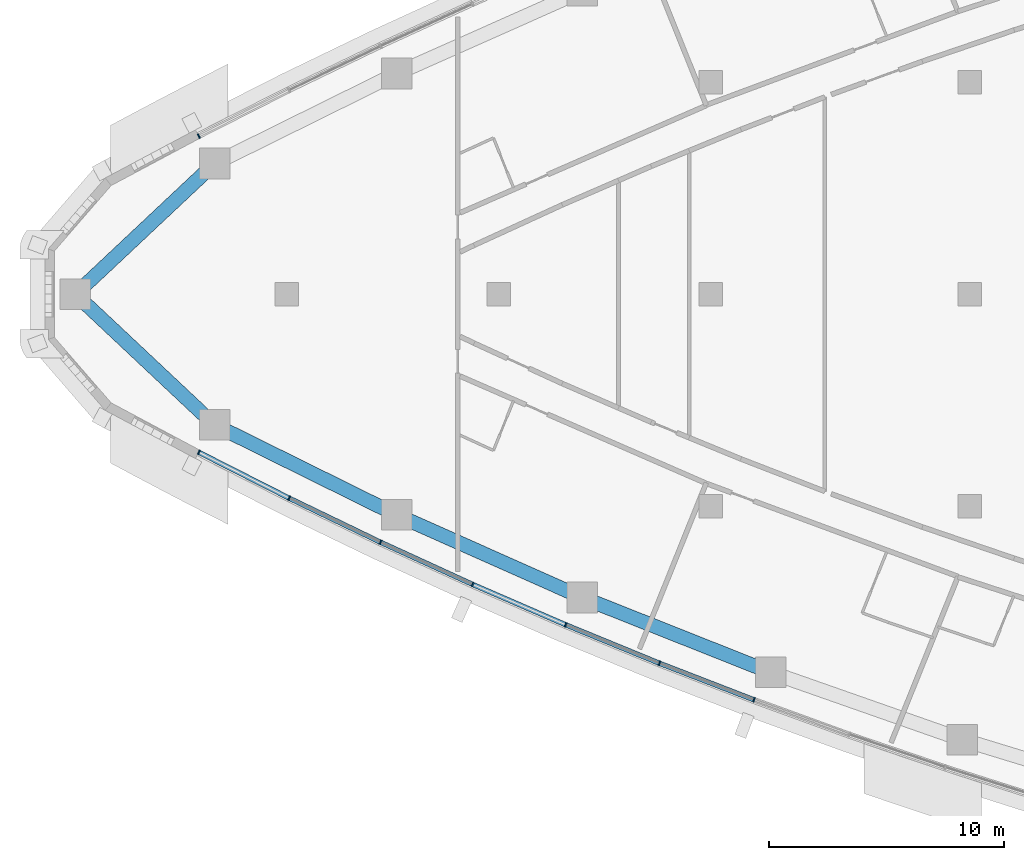
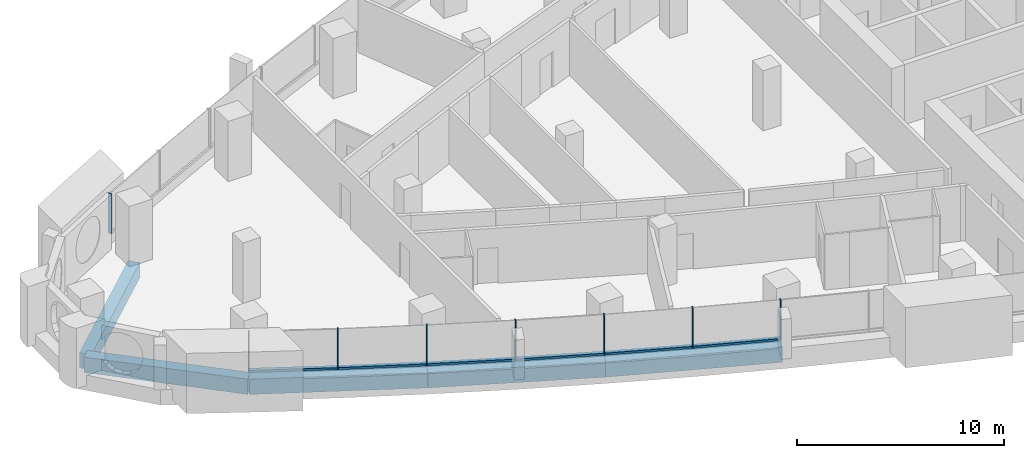
# One storey, part 2 of 16: 14 members, 5 beams, 4 elements without a shape of their own.
"""IFC4 building model written with IfcOpenShell, lengths in metres."""

from ifc_helpers import new_model, si_unit, direction, frame, origin, origin_2d, place, context, subcontext, project, spatial, rectangle, extrude, material, layer, layer_set, material_profile, profile_set, type_object, element, aggregate, save


model = new_model("IFC4")

# Units and contexts
model_context = context("Model", 3, precision=1e-05, world=origin(), true_north=direction((0.0, 1.0)))
body_context = subcontext(model_context, "Body", "Model", "MODEL_VIEW")
ifc_project = project(units=[si_unit("LENGTHUNIT", "METRE"), si_unit("AREAUNIT", "SQUARE_METRE"), si_unit("VOLUMEUNIT", "CUBIC_METRE"), si_unit("PLANEANGLEUNIT", "RADIAN"), si_unit("MASSUNIT", "GRAM", prefix="KILO")], contexts=[model_context])

# Site, building, storey
site_placement = place(None, origin())
site = spatial("IfcSite", under=ifc_project, at=site_placement, CompositionType="ELEMENT")
building_placement = place(site_placement, origin())
building = spatial("IfcBuilding", under=site, at=building_placement, Name="Ostrand Prow Hotel Tower", CompositionType="ELEMENT")
storey_placement = place(building_placement, frame((0.0, 0.0, 186.14990234375)))
storey = spatial("IfcBuildingStorey", under=building, at=storey_placement, Name="L46", CompositionType="ELEMENT", Elevation=186.14990234375)

# Beams
ifc_material_1 = material(Name="Concrete C60/75", Category="concrete")
ifc_material_profile_1 = material_profile(ifc_material_1, rectangle(XDim=0.60009765625, YDim=0.89990234375, at=origin_2d()), Name="RC 600x900")
ifc_profile_set_1 = profile_set([ifc_material_profile_1], Name="Concrete C60/75")
beam_type = type_object("IfcBeamType", Name="Edge beam 600x900 C60/75", PredefinedType="SPANDREL", material=ifc_profile_set_1)
beam_1_placement = place(storey_placement, frame((7.01708984375, 0.0, -0.75), z_axis=(0.728960507808, -0.684555752336, 0.0), x_axis=(0.684555752336, 0.728960507808, 0.0)))
element("IfcBeam", 1, at=beam_1_placement, inside=storey, type_object=beam_type, Name="Edge beam P-S1", PredefinedType="SPANDREL", context=body_context, shape_type="SweptSolid", body=[
    extrude(rectangle(XDim=0.60009765625, YDim=0.89990234375, at=origin_2d()), origin(), (0.0, 0.0, 1.0), 8.109619140625),
])
beam_2_placement = place(storey_placement, frame((12.9287109375, -5.551513671875, -0.75), z_axis=(0.896383774903, -0.443278837856, 0.0), x_axis=(0.443278837856, 0.896383774903, 0.0)))
element("IfcBeam", 2, at=beam_2_placement, inside=storey, type_object=beam_type, Name="Edge beam S1-S2", PredefinedType="SPANDREL", context=body_context, shape_type="SweptSolid", body=[
    extrude(rectangle(XDim=0.60009765625, YDim=0.89990234375, at=origin_2d()), origin(), (0.0, 0.0, 1.0), 8.62158203125),
])
for number, where, z_axis, x_axis, name in (
    (3, (20.656982421875, -9.373291015625, -0.75), (0.91364332073, -0.406516767779, 0.0), (0.406516767779, 0.91364332073, 0.0), "Edge beam S2-S3"),
    (4, (28.5341796875, -12.878173828125, -0.75), (0.929376173753, -0.36913402398, 0.0), (0.36913402398, 0.929376173753, 0.0), "Edge beam S3-S4"),
):
    element("IfcBeam", number, at=place(storey_placement, frame(where, z_axis=z_axis, x_axis=x_axis)), inside=storey, type_object=beam_type, Name=name, PredefinedType="SPANDREL", context=body_context, shape_type="SweptSolid", body=[
        extrude(rectangle(XDim=0.60009765625, YDim=0.89990234375, at=origin_2d()), origin(), (0.0, 0.0, 1.0), 8.621826171875),
    ])
beam_3_placement = place(storey_placement, frame((12.9287109375, 5.551513671875, -0.75), z_axis=(-0.728960507808, -0.684555752336, 0.0), x_axis=(0.684555752336, -0.728960507808, 0.0)))
element("IfcBeam", 5, at=beam_3_placement, inside=storey, type_object=beam_type, Name="Edge beam N6-P", PredefinedType="SPANDREL", context=body_context, shape_type="SweptSolid", body=[
    extrude(rectangle(XDim=0.60009765625, YDim=0.89990234375, at=origin_2d()), origin(), (0.0, 0.0, 1.0), 8.109619140625),
])

# Curtain wall, members
ifc_material_2 = material(Name="Insulated glass in bronze anodised frame", Category="glass")
ifc_layer = layer(ifc_material_2, 0.199951171875)
ifc_layer_set = layer_set([ifc_layer], Name="Insulated glass in bronze anodised frame")
curtain_wall_type = type_object("IfcCurtainWallType", Name="Strip curtain wall, fritted glass over bronze spandrel", PredefinedType="NOTDEFINED", material=ifc_layer_set)
curtain_wall_1_placement = place(storey_placement, origin())
curtain_wall_1 = element("IfcCurtainWall", 6, at=curtain_wall_1_placement, inside=storey, type_object=curtain_wall_type, Name="CW1 run CWS1", PredefinedType="NOTDEFINED")
ifc_material_3 = material(Name="Bronze anodised aluminium", Category="aluminium")
ifc_material_profile_2 = material_profile(ifc_material_3, rectangle(XDim=0.199951171875, YDim=0.06005859375, at=origin_2d()), Name="Mullion 60x200 bronze anodised aluminium")
ifc_profile_set_2 = profile_set([ifc_material_profile_2], Name="Bronze anodised aluminium")
member_type_1 = type_object("IfcMemberType", Name="Mullion 60x200 bronze anodised aluminium", PredefinedType="MULLION", material=ifc_profile_set_2)
member_1_placement = place(storey_placement, frame((12.255859375, -6.71240234375, 0.900146484375), z_axis=(0.0, 0.0, 1.0), x_axis=(0.452658828186, 0.891683792196, 0.0)))
member_1 = element("IfcMember", 7, at=member_1_placement, type_object=member_type_1, Name="CW1 mullion 1", PredefinedType="MULLION", context=body_context, shape_type="SweptSolid", body=[
    extrude(rectangle(XDim=0.199951171875, YDim=0.06005859375, at=origin_2d()), origin(), (0.0, 0.0, 1.0), 2.349853515625),
])
member_2_placement = place(storey_placement, frame((16.0947265625, -8.660888671875, 0.900146484375), z_axis=(0.0, 0.0, 1.0), x_axis=(0.434615027304, 0.90061633232, 0.0)))
member_2 = element("IfcMember", 8, at=member_2_placement, type_object=member_type_1, Name="CW1 mullion 2", PredefinedType="MULLION", context=body_context, shape_type="SweptSolid", body=[
    extrude(rectangle(XDim=0.199951171875, YDim=0.06005859375, at=origin_2d()), origin(), (0.0, 0.0, 1.0), 2.349853515625),
])
member_3_placement = place(storey_placement, frame((19.971923828125, -10.531982421875, 0.900146484375), z_axis=(0.0, 0.0, 1.0), x_axis=(0.434615027304, 0.90061633232, 0.0)))
member_3 = element("IfcMember", 9, at=member_3_placement, type_object=member_type_1, Name="CW1 mullion 3", PredefinedType="MULLION", context=body_context, shape_type="SweptSolid", body=[
    extrude(rectangle(XDim=0.199951171875, YDim=0.06005859375, at=origin_2d()), origin(), (0.0, 0.0, 1.0), 2.349853515625),
])

curtain_wall_2_placement = place(storey_placement, origin())
curtain_wall_2 = element("IfcCurtainWall", 10, at=curtain_wall_2_placement, inside=storey, type_object=curtain_wall_type, Name="CW1 run CWS2", PredefinedType="NOTDEFINED")
member_4_placement = place(storey_placement, frame((23.885986328125, -12.32470703125, 0.900146484375), z_axis=(0.0, 0.0, 1.0), x_axis=(0.398004671812, 0.917383388347, 0.0)))
member_4 = element("IfcMember", 11, at=member_4_placement, type_object=member_type_1, Name="CW1 mullion 2", PredefinedType="MULLION", context=body_context, shape_type="SweptSolid", body=[
    extrude(rectangle(XDim=0.199951171875, YDim=0.06005859375, at=origin_2d()), origin(), (0.0, 0.0, 1.0), 2.349853515625),
])
member_5_placement = place(storey_placement, frame((27.83544921875, -14.0380859375, 0.900146484375), z_axis=(0.0, 0.0, 1.0), x_axis=(0.398004671812, 0.917383388347, 0.0)))
member_5 = element("IfcMember", 12, at=member_5_placement, type_object=member_type_1, Name="CW1 mullion 3", PredefinedType="MULLION", context=body_context, shape_type="SweptSolid", body=[
    extrude(rectangle(XDim=0.199951171875, YDim=0.06005859375, at=origin_2d()), origin(), (0.0, 0.0, 1.0), 2.349853515625),
])

curtain_wall_3_placement = place(storey_placement, origin())
curtain_wall_3 = element("IfcCurtainWall", 13, at=curtain_wall_3_placement, inside=storey, type_object=curtain_wall_type, Name="CW1 run CWS3", PredefinedType="NOTDEFINED")
member_6_placement = place(storey_placement, frame((31.818603515625, -15.671630859375, 0.900146484375), z_axis=(0.0, 0.0, 1.0), x_axis=(0.360748970732, 0.932662950972, 0.0)))
member_6 = element("IfcMember", 14, at=member_6_placement, type_object=member_type_1, Name="CW1 mullion 2", PredefinedType="MULLION", context=body_context, shape_type="SweptSolid", body=[
    extrude(rectangle(XDim=0.199951171875, YDim=0.06005859375, at=origin_2d()), origin(), (0.0, 0.0, 1.0), 2.349853515625),
])
member_7_placement = place(storey_placement, frame((35.833740234375, -17.224609375, 0.900146484375), z_axis=(0.0, 0.0, 1.0), x_axis=(0.360748970732, 0.932662950972, 0.0)))
member_7 = element("IfcMember", 15, at=member_7_placement, type_object=member_type_1, Name="CW1 mullion 3", PredefinedType="MULLION", context=body_context, shape_type="SweptSolid", body=[
    extrude(rectangle(XDim=0.199951171875, YDim=0.06005859375, at=origin_2d()), origin(), (0.0, 0.0, 1.0), 2.349853515625),
])

# Curtain wall, member
curtain_wall_4_placement = place(storey_placement, origin())
curtain_wall_4 = element("IfcCurtainWall", 16, at=curtain_wall_4_placement, inside=storey, type_object=curtain_wall_type, Name="CW1 run CWN5", PredefinedType="NOTDEFINED")
member_8_placement = place(storey_placement, frame((12.255859375, 6.71240234375, 0.900146484375), z_axis=(0.0, 0.0, 1.0), x_axis=(0.452658828186, -0.891683792196, 0.0)))
member_8 = element("IfcMember", 17, at=member_8_placement, type_object=member_type_1, Name="CW1 mullion 3", PredefinedType="MULLION", context=body_context, shape_type="SweptSolid", body=[
    extrude(rectangle(XDim=0.199951171875, YDim=0.06005859375, at=origin_2d()), origin(), (0.0, 0.0, 1.0), 2.349853515625),
])
aggregate(curtain_wall_4, [member_8])

# Member
ifc_material_4 = material(Name="Bronze anodised aluminium", Category="aluminium")
ifc_material_profile_3 = material_profile(ifc_material_4, rectangle(XDim=0.199951171875, YDim=0.1201171875, at=origin_2d()), Name="Transom 120x200 bronze anodised aluminium")
ifc_profile_set_3 = profile_set([ifc_material_profile_3], Name="Bronze anodised aluminium")
member_type_2 = type_object("IfcMemberType", Name="Transom 120x200 bronze anodised aluminium", PredefinedType="USERDEFINED", material=ifc_profile_set_3)
member_9_placement = place(storey_placement, frame((12.28271484375, -6.725830078125, 0.960205078125), z_axis=(0.891672840777, -0.452680400526, 0.0), x_axis=(0.452680400526, 0.891672840777, 0.0)))
member_9 = element("IfcMember", 18, at=member_9_placement, type_object=member_type_2, Name="CW1 transom 1.1", ObjectType="TRANSOM", PredefinedType="USERDEFINED", context=body_context, shape_type="SweptSolid", body=[
    extrude(rectangle(XDim=0.199951171875, YDim=0.1201171875, at=origin_2d()), origin(), (0.0, 0.0, 1.0), 4.2451171875),
])

member_10_placement = place(storey_placement, frame((16.12158203125, -8.674072265625, 0.960205078125), z_axis=(0.900619174345, -0.434609137965, 0.0), x_axis=(0.434609137965, 0.900619174345, 0.0)))
member_10 = element("IfcMember", 19, at=member_10_placement, type_object=member_type_2, Name="CW1 transom 2.1", ObjectType="TRANSOM", PredefinedType="USERDEFINED", context=body_context, shape_type="SweptSolid", body=[
    extrude(rectangle(XDim=0.199951171875, YDim=0.1201171875, at=origin_2d()), origin(), (0.0, 0.0, 1.0), 4.2451171875),
])

aggregate(curtain_wall_1, [member_1, member_2, member_3, member_9, member_10])

member_11_placement = place(storey_placement, frame((19.999267578125, -10.54443359375, 0.960205078125), z_axis=(0.909159196143, -0.416448743628, 0.0), x_axis=(0.416448743628, 0.909159196143, 0.0)))
member_11 = element("IfcMember", 20, at=member_11_placement, type_object=member_type_2, Name="CW1 transom 1.1", ObjectType="TRANSOM", PredefinedType="USERDEFINED", context=body_context, shape_type="SweptSolid", body=[
    extrude(rectangle(XDim=0.199951171875, YDim=0.1201171875, at=origin_2d()), origin(), (0.0, 0.0, 1.0), 4.244873046875),
])

member_12_placement = place(storey_placement, frame((23.91357421875, -12.336669921875, 0.960205078125), z_axis=(0.917389785482, -0.397989926371, 0.0), x_axis=(0.397989926371, 0.917389785482, 0.0)))
member_12 = element("IfcMember", 21, at=member_12_placement, type_object=member_type_2, Name="CW1 transom 2.1", ObjectType="TRANSOM", PredefinedType="USERDEFINED", context=body_context, shape_type="SweptSolid", body=[
    extrude(rectangle(XDim=0.199951171875, YDim=0.1201171875, at=origin_2d()), origin(), (0.0, 0.0, 1.0), 4.244873046875),
])

aggregate(curtain_wall_2, [member_4, member_5, member_11, member_12])

member_13_placement = place(storey_placement, frame((27.863037109375, -14.049560546875, 0.960205078125), z_axis=(0.925213143858, -0.379447807258, 0.0), x_axis=(0.379447807258, 0.925213143858, 0.0)))
member_13 = element("IfcMember", 22, at=member_13_placement, type_object=member_type_2, Name="CW1 transom 1.1", ObjectType="TRANSOM", PredefinedType="USERDEFINED", context=body_context, shape_type="SweptSolid", body=[
    extrude(rectangle(XDim=0.199951171875, YDim=0.1201171875, at=origin_2d()), origin(), (0.0, 0.0, 1.0), 4.2451171875),
])

member_14_placement = place(storey_placement, frame((31.846435546875, -15.6826171875, 0.960205078125), z_axis=(0.932675482501, -0.360716570651, 0.0), x_axis=(0.360716570651, 0.932675482501, 0.0)))
member_14 = element("IfcMember", 23, at=member_14_placement, type_object=member_type_2, Name="CW1 transom 2.1", ObjectType="TRANSOM", PredefinedType="USERDEFINED", context=body_context, shape_type="SweptSolid", body=[
    extrude(rectangle(XDim=0.199951171875, YDim=0.1201171875, at=origin_2d()), origin(), (0.0, 0.0, 1.0), 4.2451171875),
])

aggregate(curtain_wall_3, [member_6, member_7, member_13, member_14])

save(model, "model.ifc")
